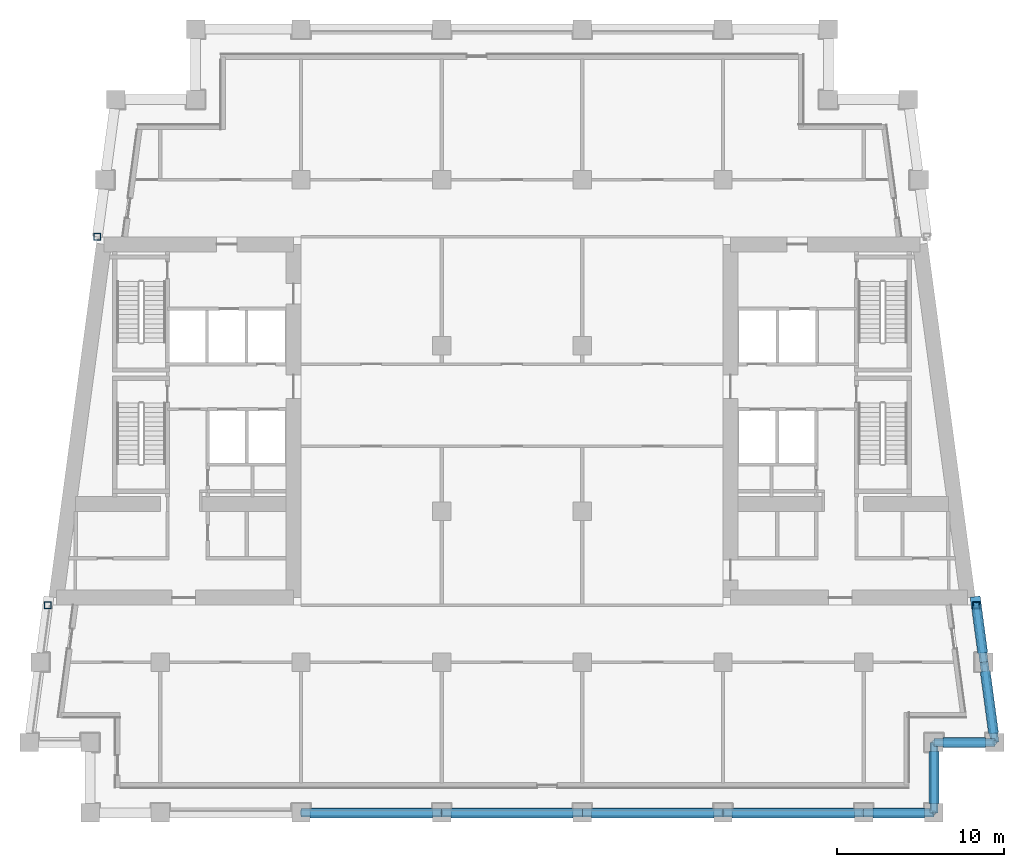
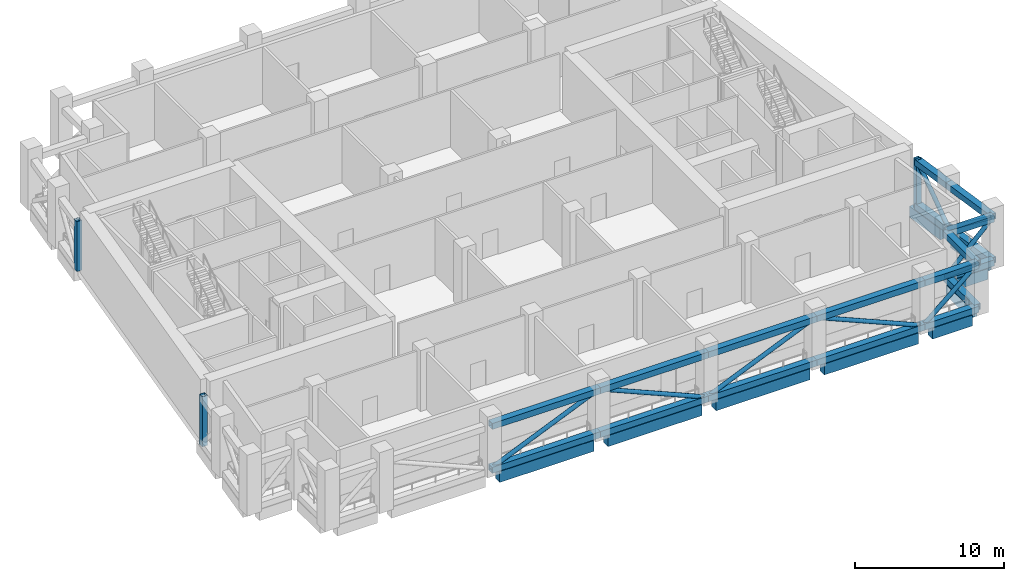
# One storey, part 2 of 12: 30 members, 9 beams.
"""IFC4 building model written with IfcOpenShell, lengths in metres."""

from ifc_helpers import new_model, si_unit, direction, frame, origin, origin_2d, place, context, subcontext, project, spatial, rectangle, hollow_rectangle, hollow_circle, extrude, material, material_profile, profile_set, type_object, element, save


model = new_model("IFC4")

# Units and contexts
model_context = context("Model", 3, precision=1e-05, world=origin(), true_north=direction((0.0, 1.0)))
body_context = subcontext(model_context, "Body", "Model", "MODEL_VIEW")
ifc_project = project(units=[si_unit("LENGTHUNIT", "METRE"), si_unit("AREAUNIT", "SQUARE_METRE"), si_unit("VOLUMEUNIT", "CUBIC_METRE"), si_unit("PLANEANGLEUNIT", "RADIAN"), si_unit("MASSUNIT", "GRAM", prefix="KILO")], contexts=[model_context])

# Site, building, storey
site_placement = place(None, origin())
site = spatial("IfcSite", under=ifc_project, at=site_placement, CompositionType="ELEMENT")
building_placement = place(site_placement, origin())
building = spatial("IfcBuilding", under=site, at=building_placement, Name="Candeia Pilgrim Tower and Theatre", CompositionType="ELEMENT")
storey_placement = place(building_placement, frame((0.0, 0.0, 197.199951171875)))
storey = spatial("IfcBuildingStorey", under=building, at=storey_placement, Name="L47", CompositionType="ELEMENT", Elevation=197.199951171875)

# Members
ifc_material_1 = material(Name="Structural steel ASTM A572 Grade 50", Category="steel")
ifc_material_profile_1 = material_profile(ifc_material_1, hollow_rectangle(XDim=0.39990234375, YDim=0.39990234375, WallThickness=0.02490234375, at=origin_2d()))
ifc_profile_set_1 = profile_set([ifc_material_profile_1], Name="Structural steel ASTM A572 Grade 50")
member_type_1 = type_object("IfcMemberType", Name="BOX 400x400x25 post", PredefinedType="POST", material=ifc_profile_set_1)
for number, where, z_axis, x_axis, name in (
    (1, (141.130859375, 110.39990234375, 0.0), (0.0, 0.0, 1.0), (1.0, 0.0, 0.0), "Belt truss post TBL47"),
    (2, (88.630859375, 132.39990234375, 0.0), (0.0, 0.0, 1.0), (1.0, 0.0, 0.0), "Belt truss post TBL47"),
    (3, (85.669189453125, 110.39990234375, 0.0), (0.0, 0.0, 1.0), (1.0, 0.0, 0.0), "Belt truss post TBL47"),
):
    element("IfcMember", number, at=place(storey_placement, frame(where, z_axis=z_axis, x_axis=x_axis)), inside=storey, type_object=member_type_1, Name=name, PredefinedType="POST", context=body_context, shape_type="SweptSolid", body=[
        extrude(hollow_rectangle(XDim=0.39990234375, YDim=0.39990234375, WallThickness=0.02490234375, at=origin_2d()), origin(), (0.0, 0.0, 1.0), 4.10009765625),
    ])
ifc_material_profile_2 = material_profile(ifc_material_1, hollow_rectangle(XDim=0.5, YDim=0.5, WallThickness=0.031982421875, at=origin_2d()))
ifc_profile_set_2 = profile_set([ifc_material_profile_2], Name="Structural steel ASTM A572 Grade 50")
member_type_2 = type_object("IfcMemberType", Name="BOX 500x500x32 chord", PredefinedType="CHORD", material=ifc_profile_set_2)
for number, where, z_axis, x_axis, name in (
    (4, (100.800048828125, 98.0, 0.25), (1.0, 0.0, 0.0), (0.0, 1.0, 0.0), "Belt truss bottom chord TBL47"),
    (5, (100.800048828125, 98.0, 3.85009765625), (1.0, 0.0, 0.0), (0.0, 1.0, 0.0), "Belt truss top chord TBL47"),
):
    element("IfcMember", number, at=place(storey_placement, frame(where, z_axis=z_axis, x_axis=x_axis)), inside=storey, type_object=member_type_2, Name=name, PredefinedType="CHORD", context=body_context, shape_type="SweptSolid", body=[
        extrude(hollow_rectangle(XDim=0.5, YDim=0.5, WallThickness=0.031982421875, at=origin_2d()), origin(), (0.0, 0.0, 1.0), 8.39990234375),
    ])
for number, where, z_axis, x_axis, name in (
    (6, (109.199951171875, 98.0, 0.25), (1.0, 0.0, 0.0), (0.0, 1.0, 0.0), "Belt truss bottom chord TBL47"),
    (7, (109.199951171875, 98.0, 3.85009765625), (1.0, 0.0, 0.0), (0.0, 1.0, 0.0), "Belt truss top chord TBL47"),
):
    element("IfcMember", number, at=place(storey_placement, frame(where, z_axis=z_axis, x_axis=x_axis)), inside=storey, type_object=member_type_2, Name=name, PredefinedType="CHORD", context=body_context, shape_type="SweptSolid", body=[
        extrude(hollow_rectangle(XDim=0.5, YDim=0.5, WallThickness=0.031982421875, at=origin_2d()), origin(), (0.0, 0.0, 1.0), 8.400146484375),
    ])
for number, where, z_axis, x_axis, name in (
    (8, (117.60009765625, 98.0, 0.25), (1.0, 0.0, 0.0), (0.0, 1.0, 0.0), "Belt truss bottom chord TBL47"),
    (9, (117.60009765625, 98.0, 3.85009765625), (1.0, 0.0, 0.0), (0.0, 1.0, 0.0), "Belt truss top chord TBL47"),
    (10, (126.0, 98.0, 0.25), (1.0, 0.0, 0.0), (0.0, 1.0, 0.0), "Belt truss bottom chord TBL47"),
    (11, (126.0, 98.0, 3.85009765625), (1.0, 0.0, 0.0), (0.0, 1.0, 0.0), "Belt truss top chord TBL47"),
):
    element("IfcMember", number, at=place(storey_placement, frame(where, z_axis=z_axis, x_axis=x_axis)), inside=storey, type_object=member_type_2, Name=name, PredefinedType="CHORD", context=body_context, shape_type="SweptSolid", body=[
        extrude(hollow_rectangle(XDim=0.5, YDim=0.5, WallThickness=0.031982421875, at=origin_2d()), origin(), (0.0, 0.0, 1.0), 8.39990234375),
    ])
for number, where, z_axis, x_axis, name in (
    (12, (134.39990234375, 98.0, 0.25), (1.0, 0.0, 0.0), (0.0, 1.0, 0.0), "Belt truss bottom chord TBL47"),
    (13, (134.39990234375, 98.0, 3.85009765625), (1.0, 0.0, 0.0), (0.0, 1.0, 0.0), "Belt truss top chord TBL47"),
):
    element("IfcMember", number, at=place(storey_placement, frame(where, z_axis=z_axis, x_axis=x_axis)), inside=storey, type_object=member_type_2, Name=name, PredefinedType="CHORD", context=body_context, shape_type="SweptSolid", body=[
        extrude(hollow_rectangle(XDim=0.5, YDim=0.5, WallThickness=0.031982421875, at=origin_2d()), origin(), (0.0, 0.0, 1.0), 4.2001953125),
    ])
for number, where, z_axis, x_axis, name in (
    (14, (138.60009765625, 98.0, 0.25), (0.0, 1.0, 0.0), (-1.0, 0.0, 0.0), "Belt truss bottom chord TBL47"),
    (15, (138.60009765625, 98.0, 3.85009765625), (0.0, 1.0, 0.0), (-1.0, 0.0, 0.0), "Belt truss top chord TBL47"),
):
    element("IfcMember", number, at=place(storey_placement, frame(where, z_axis=z_axis, x_axis=x_axis)), inside=storey, type_object=member_type_2, Name=name, PredefinedType="CHORD", context=body_context, shape_type="SweptSolid", body=[
        extrude(hollow_rectangle(XDim=0.5, YDim=0.5, WallThickness=0.031982421875, at=origin_2d()), origin(), (0.0, 0.0, 1.0), 4.199951171875),
    ])
for number, where, z_axis, x_axis, name in (
    (16, (138.60009765625, 102.199951171875, 0.25), (1.0, 0.0, 0.0), (0.0, 1.0, 0.0), "Belt truss bottom chord TBL47"),
    (17, (138.60009765625, 102.199951171875, 3.85009765625), (1.0, 0.0, 0.0), (0.0, 1.0, 0.0), "Belt truss top chord TBL47"),
):
    element("IfcMember", number, at=place(storey_placement, frame(where, z_axis=z_axis, x_axis=x_axis)), inside=storey, type_object=member_type_2, Name=name, PredefinedType="CHORD", context=body_context, shape_type="SweptSolid", body=[
        extrude(hollow_rectangle(XDim=0.5, YDim=0.5, WallThickness=0.031982421875, at=origin_2d()), origin(), (0.0, 0.0, 1.0), 3.634521484375),
    ])
for number, where, z_axis, x_axis, name in (
    (18, (142.234619140625, 102.199951171875, 0.25), (-0.133428198131, 0.991058482605, 0.0), (-0.991058482605, -0.133428198131, 0.0), "Belt truss bottom chord TBL47"),
    (19, (142.234619140625, 102.199951171875, 3.85009765625), (-0.133428198131, 0.991058482605, 0.0), (-0.991058482605, -0.133428198131, 0.0), "Belt truss top chord TBL47"),
):
    element("IfcMember", number, at=place(storey_placement, frame(where, z_axis=z_axis, x_axis=x_axis)), inside=storey, type_object=member_type_2, Name=name, PredefinedType="CHORD", context=body_context, shape_type="SweptSolid", body=[
        extrude(hollow_rectangle(XDim=0.5, YDim=0.5, WallThickness=0.031982421875, at=origin_2d()), origin(), (0.0, 0.0, 1.0), 4.84326171875),
    ])
for number, where, z_axis, x_axis, name in (
    (20, (141.58837890625, 107.0, 0.25), (-0.13336630817, 0.991066813008, 0.0), (-0.991066813008, -0.13336630817, 0.0), "Belt truss bottom chord TBL47"),
    (21, (141.58837890625, 107.0, 3.85009765625), (-0.13336630817, 0.991066813008, 0.0), (-0.991066813008, -0.13336630817, 0.0), "Belt truss top chord TBL47"),
):
    element("IfcMember", number, at=place(storey_placement, frame(where, z_axis=z_axis, x_axis=x_axis)), inside=storey, type_object=member_type_2, Name=name, PredefinedType="CHORD", context=body_context, shape_type="SweptSolid", body=[
        extrude(hollow_rectangle(XDim=0.5, YDim=0.5, WallThickness=0.031982421875, at=origin_2d()), origin(), (0.0, 0.0, 1.0), 3.4306640625),
    ])
ifc_material_profile_3 = material_profile(ifc_material_1, hollow_circle(Radius=0.161865234375, WallThickness=0.012451171875, at=origin_2d()))
ifc_profile_set_3 = profile_set([ifc_material_profile_3], Name="Structural steel ASTM A572 Grade 50")
member_type_3 = type_object("IfcMemberType", Name="CHS 324x12.5 brace", PredefinedType="BRACE", material=ifc_profile_set_3)
member_1_placement = place(storey_placement, frame((100.800048828125, 98.0, 0.25), z_axis=(0.919139502787, 0.0, 0.393932195201), x_axis=(0.0, 1.0, 0.0)))
element("IfcMember", 22, at=member_1_placement, inside=storey, type_object=member_type_3, Name="Belt truss diagonal TBL47", PredefinedType="BRACE", context=body_context, shape_type="SweptSolid", body=[
    extrude(hollow_circle(Radius=0.161865234375, WallThickness=0.012451171875, at=origin_2d()), origin(), (0.0, 0.0, 1.0), 9.138916015625),
])
member_2_placement = place(storey_placement, frame((117.60009765625, 98.0, 0.25), z_axis=(-0.919143648261, 0.0, 0.393922522663), x_axis=(0.0, -1.0, 0.0)))
element("IfcMember", 23, at=member_2_placement, inside=storey, type_object=member_type_3, Name="Belt truss diagonal TBL47", PredefinedType="BRACE", context=body_context, shape_type="SweptSolid", body=[
    extrude(hollow_circle(Radius=0.161865234375, WallThickness=0.012451171875, at=origin_2d()), origin(), (0.0, 0.0, 1.0), 9.13916015625),
])
for number, where, z_axis, x_axis, name in (
    (24, (117.60009765625, 98.0, 0.25), (0.919139502787, 0.0, 0.393932195201), (0.0, 1.0, 0.0), "Belt truss diagonal TBL47"),
    (25, (134.39990234375, 98.0, 0.25), (-0.919139502787, 0.0, 0.393932195201), (0.0, -1.0, 0.0), "Belt truss diagonal TBL47"),
):
    element("IfcMember", number, at=place(storey_placement, frame(where, z_axis=z_axis, x_axis=x_axis)), inside=storey, type_object=member_type_3, Name=name, PredefinedType="BRACE", context=body_context, shape_type="SweptSolid", body=[
        extrude(hollow_circle(Radius=0.161865234375, WallThickness=0.012451171875, at=origin_2d()), origin(), (0.0, 0.0, 1.0), 9.138916015625),
    ])
member_3_placement = place(storey_placement, frame((134.39990234375, 98.0, 0.25), z_axis=(0.759262832861, 0.0, 0.650784104474), x_axis=(0.0, 1.0, 0.0)))
element("IfcMember", 26, at=member_3_placement, inside=storey, type_object=member_type_3, Name="Belt truss diagonal TBL47", PredefinedType="BRACE", context=body_context, shape_type="SweptSolid", body=[
    extrude(hollow_circle(Radius=0.161865234375, WallThickness=0.012451171875, at=origin_2d()), origin(), (0.0, 0.0, 1.0), 5.531982421875),
])
member_4_placement = place(storey_placement, frame((138.60009765625, 102.199951171875, 0.25), z_axis=(0.0, -0.759244140748, 0.650805911728), x_axis=(1.0, 0.0, 0.0)))
element("IfcMember", 27, at=member_4_placement, inside=storey, type_object=member_type_3, Name="Belt truss diagonal TBL47", PredefinedType="BRACE", context=body_context, shape_type="SweptSolid", body=[
    extrude(hollow_circle(Radius=0.161865234375, WallThickness=0.012451171875, at=origin_2d()), origin(), (0.0, 0.0, 1.0), 5.53173828125),
])
member_5_placement = place(storey_placement, frame((138.60009765625, 102.199951171875, 0.25), z_axis=(0.710463300268, 0.0, 0.70373425309), x_axis=(0.0, 1.0, 0.0)))
element("IfcMember", 28, at=member_5_placement, inside=storey, type_object=member_type_3, Name="Belt truss diagonal TBL47", PredefinedType="BRACE", context=body_context, shape_type="SweptSolid", body=[
    extrude(hollow_circle(Radius=0.161865234375, WallThickness=0.012451171875, at=origin_2d()), origin(), (0.0, 0.0, 1.0), 5.11572265625),
])
member_6_placement = place(storey_placement, frame((141.58837890625, 107.0, 0.25), z_axis=(0.107085627886, -0.795394986726, 0.596556353912), x_axis=(0.991058482605, 0.133428198131, 0.0)))
element("IfcMember", 29, at=member_6_placement, inside=storey, type_object=member_type_3, Name="Belt truss diagonal TBL47", PredefinedType="BRACE", context=body_context, shape_type="SweptSolid", body=[
    extrude(hollow_circle(Radius=0.161865234375, WallThickness=0.012451171875, at=origin_2d()), origin(), (0.0, 0.0, 1.0), 6.034912109375),
])
member_7_placement = place(storey_placement, frame((141.58837890625, 107.0, 0.25), z_axis=(-0.092003250638, 0.683691178435, 0.723948737413), x_axis=(-0.991066813008, -0.13336630817, 0.0)))
element("IfcMember", 30, at=member_7_placement, inside=storey, type_object=member_type_3, Name="Belt truss diagonal TBL47", PredefinedType="BRACE", context=body_context, shape_type="SweptSolid", body=[
    extrude(hollow_circle(Radius=0.161865234375, WallThickness=0.012451171875, at=origin_2d()), origin(), (0.0, 0.0, 1.0), 4.972900390625),
])

# Beams
ifc_material_2 = material(Name="Concrete C60/75", Category="concrete")
ifc_material_profile_4 = material_profile(ifc_material_2, rectangle(XDim=0.60009765625, YDim=0.89990234375, at=origin_2d()))
ifc_profile_set_4 = profile_set([ifc_material_profile_4], Name="Concrete C60/75")
beam_type = type_object("IfcBeamType", Name="RC 600x900 C60/75", PredefinedType="BEAM", material=ifc_profile_set_4)
beam_1_placement = place(storey_placement, frame((101.35009765625, 98.0, -0.449951171875), z_axis=(1.0, 0.0, 0.0), x_axis=(0.0, 1.0, 0.0)))
element("IfcBeam", 31, at=beam_1_placement, inside=storey, type_object=beam_type, Name="Spandrel beam L47-03", PredefinedType="BEAM", context=body_context, shape_type="SweptSolid", body=[
    extrude(rectangle(XDim=0.60009765625, YDim=0.89990234375, at=origin_2d()), origin(), (0.0, 0.0, 1.0), 7.2998046875),
])
for number, where, z_axis, x_axis, name in (
    (32, (109.75, 98.0, -0.449951171875), (1.0, 0.0, 0.0), (0.0, 1.0, 0.0), "Spandrel beam L47-04"),
    (33, (118.14990234375, 98.0, -0.449951171875), (1.0, 0.0, 0.0), (0.0, 1.0, 0.0), "Spandrel beam L47-05"),
    (34, (126.550048828125, 98.0, -0.449951171875), (1.0, 0.0, 0.0), (0.0, 1.0, 0.0), "Spandrel beam L47-06"),
):
    element("IfcBeam", number, at=place(storey_placement, frame(where, z_axis=z_axis, x_axis=x_axis)), inside=storey, type_object=beam_type, Name=name, PredefinedType="BEAM", context=body_context, shape_type="SweptSolid", body=[
        extrude(rectangle(XDim=0.60009765625, YDim=0.89990234375, at=origin_2d()), origin(), (0.0, 0.0, 1.0), 7.300048828125),
    ])
beam_2_placement = place(storey_placement, frame((134.949951171875, 98.0, -0.449951171875), z_axis=(1.0, 0.0, 0.0), x_axis=(0.0, 1.0, 0.0)))
element("IfcBeam", 35, at=beam_2_placement, inside=storey, type_object=beam_type, Name="Spandrel beam L47-07", PredefinedType="BEAM", context=body_context, shape_type="SweptSolid", body=[
    extrude(rectangle(XDim=0.60009765625, YDim=0.89990234375, at=origin_2d()), origin(), (0.0, 0.0, 1.0), 3.10009765625),
])
beam_3_placement = place(storey_placement, frame((138.60009765625, 98.550048828125, -0.449951171875), z_axis=(0.0, 1.0, 0.0), x_axis=(-1.0, 0.0, 0.0)))
element("IfcBeam", 36, at=beam_3_placement, inside=storey, type_object=beam_type, Name="Spandrel beam L47-08", PredefinedType="BEAM", context=body_context, shape_type="SweptSolid", body=[
    extrude(rectangle(XDim=0.60009765625, YDim=0.89990234375, at=origin_2d()), origin(), (0.0, 0.0, 1.0), 3.099853515625),
])
beam_4_placement = place(storey_placement, frame((139.14990234375, 102.199951171875, -0.449951171875), z_axis=(1.0, 0.0, 0.0), x_axis=(0.0, 1.0, 0.0)))
element("IfcBeam", 37, at=beam_4_placement, inside=storey, type_object=beam_type, Name="Spandrel beam L47-09", PredefinedType="BEAM", context=body_context, shape_type="SweptSolid", body=[
    extrude(rectangle(XDim=0.60009765625, YDim=0.89990234375, at=origin_2d()), origin(), (0.0, 0.0, 1.0), 2.53466796875),
])
beam_5_placement = place(storey_placement, frame((142.16064453125, 102.75, -0.449951171875), z_axis=(-0.133405836075, 0.991061492997, 0.0), x_axis=(-0.991061492997, -0.133405836075, 0.0)))
element("IfcBeam", 38, at=beam_5_placement, inside=storey, type_object=beam_type, Name="Spandrel beam L47-10", PredefinedType="BEAM", context=body_context, shape_type="SweptSolid", body=[
    extrude(rectangle(XDim=0.60009765625, YDim=0.89990234375, at=origin_2d()), origin(), (0.0, 0.0, 1.0), 3.7333984375),
])
beam_6_placement = place(storey_placement, frame((141.514404296875, 107.550048828125, -0.449951171875), z_axis=(-0.133432414187, 0.99105791498, 0.0), x_axis=(-0.99105791498, -0.133432414187, 0.0)))
element("IfcBeam", 39, at=beam_6_placement, inside=storey, type_object=beam_type, Name="Spandrel beam L47-11", PredefinedType="BEAM", context=body_context, shape_type="SweptSolid", body=[
    extrude(rectangle(XDim=0.60009765625, YDim=0.89990234375, at=origin_2d()), origin(), (0.0, 0.0, 1.0), 3.390380859375),
])

save(model, "model.ifc")
